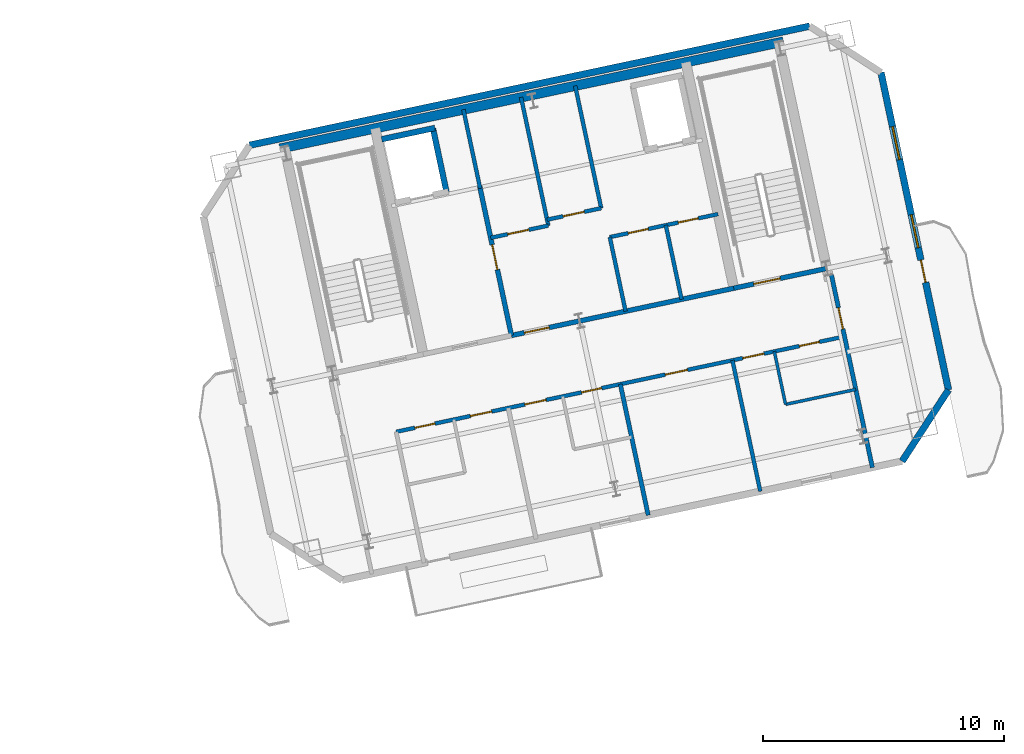
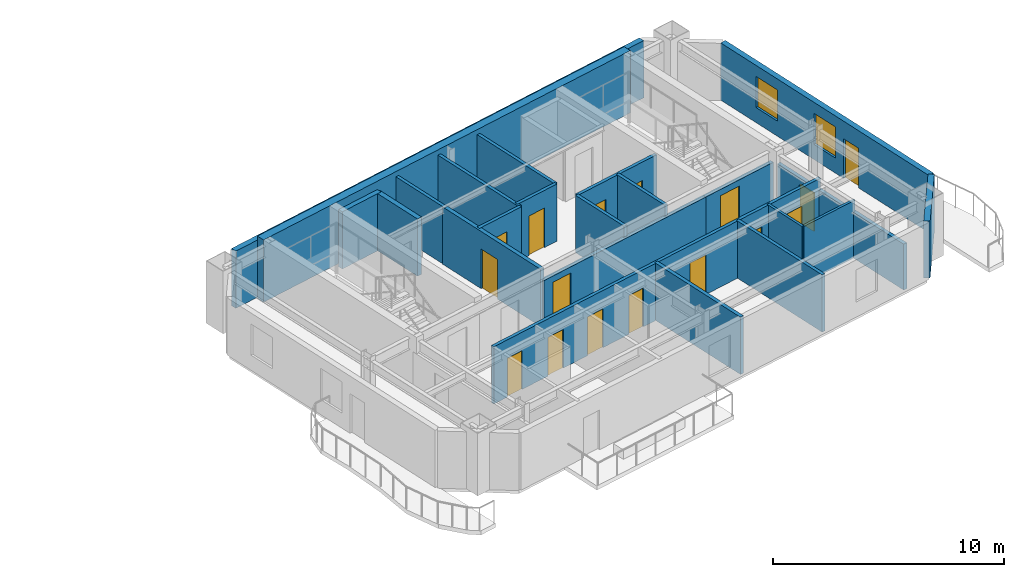
# One storey, part 8 of 14: 23 walls, 16 doors, 2 windows, 18 openings.
"""IFC4 building model written with IfcOpenShell, lengths in metres."""

from ifc_helpers import new_model, si_unit, direction, frame, frame_2d, origin, place, context, subcontext, project, spatial, rectangle, extrude, material, layer, layer_set, type_object, element, fill, save


model = new_model("IFC4")

# Units and contexts
model_context = context("Model", 3, precision=1e-05, world=origin(), true_north=direction((0.0, 1.0)))
body_context = subcontext(model_context, "Body", "Model", "MODEL_VIEW")
ifc_project = project(units=[si_unit("LENGTHUNIT", "METRE"), si_unit("AREAUNIT", "SQUARE_METRE"), si_unit("VOLUMEUNIT", "CUBIC_METRE"), si_unit("PLANEANGLEUNIT", "RADIAN"), si_unit("MASSUNIT", "GRAM", prefix="KILO")], contexts=[model_context])

# Site, building, storey
site_placement = place(None, origin())
site = spatial("IfcSite", under=ifc_project, at=site_placement, CompositionType="ELEMENT")
building_placement = place(site_placement, origin())
building = spatial("IfcBuilding", under=site, at=building_placement, Name="Haevon Station Towers", CompositionType="ELEMENT")
storey_placement = place(building_placement, frame((0.0, 0.0, 228.60009765625)))
storey = spatial("IfcBuildingStorey", under=building, at=storey_placement, Name="L63", CompositionType="ELEMENT", Elevation=228.60009765625)

# Wall, opening, door
ifc_material_1 = material(Name="Gypsum board on steel stud", Category="steel")
ifc_layer_1 = layer(ifc_material_1, 0.179931640625)
ifc_layer_set_1 = layer_set([ifc_layer_1], Name="Gypsum board on steel stud")
wall_type_1 = type_object("IfcWallType", Name="WL-ACU180", PredefinedType="PARTITIONING", material=ifc_layer_set_1)
wall_1_placement = place(storey_placement, frame((121.190673828125, 33.5322265625, 0.0), z_axis=(0.0, 0.0, 1.0), x_axis=(-0.207922572799, 0.978145287634, 0.0)))
wall_1 = element("IfcWall", 1, at=wall_1_placement, inside=storey, type_object=wall_type_1, Name="WL-T2PT-L63-03", PredefinedType="PARTITIONING", context=body_context, shape_type="SweptSolid", body=[
    extrude(rectangle(XDim=8.18994140625, YDim=0.179931640625, at=frame_2d((4.094970703125, 0.0))), origin(), (0.0, 0.0, 1.0), 2.429931640625),
])
opening_1_placement = place(wall_1_placement, frame((5.889892578125, 0.0, 0.0)))
opening_1 = element("IfcOpeningElement", 2, at=opening_1_placement, cuts=wall_1, Name="Opening DR-WL-T2PT-L63-03-01", PredefinedType="OPENING", context=body_context, shape_type="SweptSolid", body=[
    extrude(rectangle(XDim=0.89990234375, YDim=2.050048828125, at=frame_2d((0.449951171875, 1.02490234375))), frame((0.0, 0.099853515625, 0.0), z_axis=(0.0, -1.0, 0.0), x_axis=(1.0, 0.0, 0.0)), (0.0, 0.0, 1.0), 0.199951171875),
])
ifc_material_2 = material(Name="Engineered oak timber", Category="wood")
door_type_1 = type_object("IfcDoorType", Name="DR-INT-900", OperationType="NOTDEFINED", PredefinedType="DOOR", material=ifc_material_2)
door_1_placement = place(opening_1_placement, origin())
door_1 = element("IfcDoor", 3, at=door_1_placement, inside=storey, type_object=door_type_1, Name="L63 Tower 2 Room Door 3-1", OperationType="SINGLE_SWING_RIGHT", OverallHeight=2.050048828125, OverallWidth=0.89990234375, PredefinedType="DOOR", context=body_context, shape_type="SweptSolid", body=[
    extrude(rectangle(XDim=0.89990234375, YDim=2.050048828125, at=frame_2d((0.449951171875, 1.02490234375))), frame((0.0, 0.02490234375, 0.0), z_axis=(0.0, -1.0, 0.0), x_axis=(1.0, 0.0, 0.0)), (0.0, 0.0, 1.0), 0.050048828125),
])
fill(opening_1, door_1)

# Wall
wall_2_placement = place(storey_placement, frame((111.871337890625, 31.55126953125, 0.0), z_axis=(0.0, 0.0, 1.0), x_axis=(-0.207894403042, 0.978151275204, 0.0)))
element("IfcWall", 4, at=wall_2_placement, inside=storey, type_object=wall_type_1, Name="WL-T2PT-L63-09", PredefinedType="PARTITIONING", context=body_context, shape_type="SweptSolid", body=[
    extrude(rectangle(XDim=5.56982421875, YDim=0.179931640625, at=frame_2d((2.784912109375, 0.0))), origin(), (0.0, 0.0, 1.0), 3.02978515625),
])

# Wall, opening, door
ifc_layer_2 = layer(ifc_material_1, 0.199951171875)
ifc_layer_set_2 = layer_set([ifc_layer_2], Name="Gypsum board on steel stud")
wall_type_2 = type_object("IfcWallType", Name="WL-COR200", PredefinedType="PARTITIONING", material=ifc_layer_set_2)
wall_3_placement = place(storey_placement, frame((115.4296875, 40.9873046875, 0.0), z_axis=(0.0, 0.0, 1.0), x_axis=(0.978146596989, 0.207916413008, 0.0)))
wall_3 = element("IfcWall", 5, at=wall_3_placement, inside=storey, type_object=wall_type_2, Name="WL-ST-ST4-L63", PredefinedType="PARTITIONING", context=body_context, shape_type="SweptSolid", body=[
    extrude(rectangle(XDim=3.9501953125, YDim=0.199951171875, at=frame_2d((1.97509765625, 0.0))), origin(), (0.0, 0.0, 1.0), 2.429931640625),
])
opening_2_placement = place(wall_3_placement, frame((0.85009765625, 0.0, 0.0)))
opening_2 = element("IfcOpeningElement", 6, at=opening_2_placement, cuts=wall_3, Name="Opening DR-ST-ST4-L63", PredefinedType="OPENING", context=body_context, shape_type="SweptSolid", body=[
    extrude(rectangle(XDim=1.1201171875, YDim=2.10009765625, at=frame_2d((0.56005859375, 1.050048828125))), frame((0.0, 0.10986328125, 0.0), z_axis=(0.0, -1.0, 0.0), x_axis=(1.0, 0.0, 0.0)), (0.0, 0.0, 1.0), 0.219970703125),
])
door_type_2 = type_object("IfcDoorType", Name="DR-ST-1120", OperationType="NOTDEFINED", PredefinedType="DOOR", material=ifc_material_2)
door_2_placement = place(opening_2_placement, origin())
door_2 = element("IfcDoor", 7, at=door_2_placement, inside=storey, type_object=door_type_2, Name="L63 Escape Stair ST4 Fire Door", OperationType="SINGLE_SWING_RIGHT", OverallHeight=2.10009765625, OverallWidth=1.1201171875, PredefinedType="DOOR", context=body_context, shape_type="SweptSolid", body=[
    extrude(rectangle(XDim=1.1201171875, YDim=2.10009765625, at=frame_2d((0.56005859375, 1.050048828125))), frame((0.0, 0.02490234375, 0.0), z_axis=(0.0, -1.0, 0.0), x_axis=(1.0, 0.0, 0.0)), (0.0, 0.0, 1.0), 0.050048828125),
])
fill(opening_2, door_2)

wall_4_placement = place(storey_placement, frame((106.186279296875, 39.0224609375, 0.0), z_axis=(0.0, 0.0, 1.0), x_axis=(-0.207916691923, 0.978146537703, 0.0)))
wall_4 = element("IfcWall", 8, at=wall_4_placement, inside=storey, type_object=wall_type_2, Name="WL-T2FFL-L63-E", PredefinedType="PARTITIONING", context=body_context, shape_type="SweptSolid", body=[
    extrude(rectangle(XDim=6.35009765625, YDim=0.199951171875, at=frame_2d((3.175048828125, 0.0))), origin(), (0.0, 0.0, 1.0), 3.02978515625),
])
opening_3_placement = place(wall_4_placement, frame((2.800048828125, 0.0, 0.0)))
opening_3 = element("IfcOpeningElement", 9, at=opening_3_placement, cuts=wall_4, Name="Opening DR-T2FFL-L63-E", PredefinedType="OPENING", context=body_context, shape_type="SweptSolid", body=[
    extrude(rectangle(XDim=1.050048828125, YDim=2.10009765625, at=frame_2d((0.52490234375, 1.050048828125))), frame((0.0, 0.10986328125, 0.0), z_axis=(0.0, -1.0, 0.0), x_axis=(1.0, 0.0, 0.0)), (0.0, 0.0, 1.0), 0.219970703125),
])
door_type_3 = type_object("IfcDoorType", Name="DR-FD60-1050", OperationType="NOTDEFINED", PredefinedType="DOOR", material=ifc_material_2)
door_3_placement = place(opening_3_placement, origin())
door_3 = element("IfcDoor", 10, at=door_3_placement, inside=storey, type_object=door_type_3, Name="L63 Tower 2 Firefighting Lift Lobby Door E", OperationType="SINGLE_SWING_LEFT", OverallHeight=2.10009765625, OverallWidth=1.050048828125, PredefinedType="DOOR", context=body_context, shape_type="SweptSolid", body=[
    extrude(rectangle(XDim=1.050048828125, YDim=2.10009765625, at=frame_2d((0.52490234375, 1.050048828125))), frame((0.0, 0.02490234375, 0.0), z_axis=(0.0, -1.0, 0.0), x_axis=(1.0, 0.0, 0.0)), (0.0, 0.0, 1.0), 0.050048828125),
])
fill(opening_3, door_3)

wall_5_placement = place(storey_placement, frame((106.186279296875, 39.0224609375, 0.0), z_axis=(0.0, 0.0, 1.0), x_axis=(0.978145519981, 0.20792147975, 0.0)))
wall_5 = element("IfcWall", 11, at=wall_5_placement, inside=storey, type_object=wall_type_2, Name="WL-T2CLB-L63", PredefinedType="PARTITIONING", context=body_context, shape_type="SweptSolid", body=[
    extrude(rectangle(XDim=9.449951171875, YDim=0.199951171875, at=frame_2d((4.72509765625, 0.0))), origin(), (0.0, 0.0, 1.0), 2.429931640625),
])
opening_4_placement = place(wall_5_placement, frame((0.550048828125, 0.0, 0.0)))
opening_4 = element("IfcOpeningElement", 12, at=opening_4_placement, cuts=wall_5, Name="Opening DR-T2CLB-L63-1", PredefinedType="OPENING", context=body_context, shape_type="SweptSolid", body=[
    extrude(rectangle(XDim=1.050048828125, YDim=2.10009765625, at=frame_2d((0.52490234375, 1.050048828125))), frame((0.0, 0.10986328125, 0.0), z_axis=(0.0, -1.0, 0.0), x_axis=(1.0, 0.0, 0.0)), (0.0, 0.0, 1.0), 0.219970703125),
])
door_4_placement = place(opening_4_placement, origin())
door_4 = element("IfcDoor", 13, at=door_4_placement, inside=storey, type_object=door_type_3, Name="L63 Tower 2 Core Lift Lobby Door 1", OperationType="SINGLE_SWING_LEFT", OverallHeight=2.10009765625, OverallWidth=1.050048828125, PredefinedType="DOOR", context=body_context, shape_type="SweptSolid", body=[
    extrude(rectangle(XDim=1.050048828125, YDim=2.10009765625, at=frame_2d((0.52490234375, 1.050048828125))), frame((0.0, 0.02490234375, 0.0), z_axis=(0.0, -1.0, 0.0), x_axis=(1.0, 0.0, 0.0)), (0.0, 0.0, 1.0), 0.050048828125),
])
fill(opening_4, door_4)

# Walls
ifc_material_3 = material(Name="Concrete C60/75", Category="concrete")
ifc_layer_3 = layer(ifc_material_3, 0.39990234375)
ifc_layer_set_3 = layer_set([ifc_layer_3], Name="Concrete C60/75")
wall_type_3 = type_object("IfcWallType", Name="WL-CR400", PredefinedType="SHEAR", material=ifc_layer_set_3)
wall_6_placement = place(storey_placement, frame((96.560791015625, 46.791015625, 0.0), z_axis=(0.0, 0.0, 1.0), x_axis=(0.978148498705, 0.207907466152, 0.0)))
element("IfcWall", 14, at=wall_6_placement, inside=storey, type_object=wall_type_3, Name="WL-T2CR-L63-N", PredefinedType="SHEAR", context=body_context, shape_type="SweptSolid", body=[
    extrude(rectangle(XDim=21.39990234375, YDim=0.39990234375, at=frame_2d((10.699951171875, 0.0))), origin(), (0.0, 0.0, 1.0), 3.2998046875),
])
ifc_material_4 = material(Name="Precast concrete C45/55", Category="concrete")
ifc_layer_4 = layer(ifc_material_4, 0.280029296875)
ifc_layer_set_4 = layer_set([ifc_layer_4], Name="Precast concrete C45/55")
wall_type_4 = type_object("IfcWallType", Name="WL-EXT-PIER280", PredefinedType="SOLIDWALL", material=ifc_layer_set_4)
wall_7_placement = place(storey_placement, frame((95.3037109375, 46.932861328125, 0.0), z_axis=(0.0, 0.0, 1.0), x_axis=(0.978148291113, 0.207908442811, 0.0)))
element("IfcWall", 15, at=wall_7_placement, inside=storey, type_object=wall_type_4, Name="WL-T2-L63-N", PredefinedType="SOLIDWALL", context=body_context, shape_type="SweptSolid", body=[
    extrude(rectangle(XDim=23.800048828125, YDim=0.280029296875, at=frame_2d((11.89990234375, 0.0))), origin(), (0.0, 0.0, 1.0), 3.02978515625),
])

# Wall, openings, door, windows
wall_8_placement = place(storey_placement, frame((121.548828125, 49.95556640625, 0.0), z_axis=(0.0, 0.0, 1.0), x_axis=(0.207907239961, -0.978148546782, 0.0)))
wall_8 = element("IfcWall", 16, at=wall_8_placement, inside=storey, type_object=wall_type_4, Name="WL-T2-L63-E", PredefinedType="SOLIDWALL", context=body_context, shape_type="SweptSolid", body=[
    extrude(rectangle(XDim=13.489990234375, YDim=0.280029296875, at=frame_2d((6.7451171875, 0.0))), origin(), (0.0, 0.0, 1.0), 3.02978515625),
])
opening_5_placement = place(wall_8_placement, frame((7.969970703125, 0.0, 0.0)))
opening_5 = element("IfcOpeningElement", 17, at=opening_5_placement, cuts=wall_8, Name="Opening DR-T2-SCAL-L63-E", PredefinedType="OPENING", context=body_context, shape_type="SweptSolid", body=[
    extrude(rectangle(XDim=0.949951171875, YDim=2.10009765625, at=frame_2d((0.47509765625, 1.050048828125))), frame((0.0, 0.14990234375, 0.0), z_axis=(0.0, -1.0, 0.0), x_axis=(1.0, 0.0, 0.0)), (0.0, 0.0, 1.0), 0.300048828125),
])
opening_6_placement = place(wall_8_placement, frame((2.298583984375, 0.0, 0.800048828125)))
opening_6 = element("IfcOpeningElement", 18, at=opening_6_placement, cuts=wall_8, Name="Opening WN-END140", PredefinedType="OPENING", context=body_context, shape_type="SweptSolid", body=[
    extrude(rectangle(XDim=1.39990234375, YDim=1.64990234375, at=frame_2d((0.699951171875, 0.824951171875))), frame((0.0, 0.14990234375, 0.0), z_axis=(0.0, -1.0, 0.0), x_axis=(1.0, 0.0, 0.0)), (0.0, 0.0, 1.0), 0.300048828125),
])
opening_7_placement = place(wall_8_placement, frame((6.044921875, 0.0, 0.800048828125)))
opening_7 = element("IfcOpeningElement", 19, at=opening_7_placement, cuts=wall_8, Name="Opening WN-END140", PredefinedType="OPENING", context=body_context, shape_type="SweptSolid", body=[
    extrude(rectangle(XDim=1.39990234375, YDim=1.64990234375, at=frame_2d((0.699951171875, 0.824951171875))), frame((0.0, 0.14990234375, 0.0), z_axis=(0.0, -1.0, 0.0), x_axis=(1.0, 0.0, 0.0)), (0.0, 0.0, 1.0), 0.300048828125),
])
ifc_material_5 = material(Name="Thermally broken anodised aluminium and laminated safety glass", Category="aluminium")
door_type_4 = type_object("IfcDoorType", Name="DR-BALC-950", OperationType="NOTDEFINED", PredefinedType="DOOR", material=ifc_material_5)
door_5_placement = place(opening_5_placement, origin())
door_5 = element("IfcDoor", 20, at=door_5_placement, inside=storey, type_object=door_type_4, Name="Tower 2 L63 East Scalloped Balcony Door", OperationType="SINGLE_SWING_RIGHT", OverallHeight=2.10009765625, OverallWidth=0.949951171875, PredefinedType="DOOR", context=body_context, shape_type="SweptSolid", body=[
    extrude(rectangle(XDim=0.949951171875, YDim=2.10009765625, at=frame_2d((0.47509765625, 1.050048828125))), frame((0.0, 0.02490234375, 0.0), z_axis=(0.0, -1.0, 0.0), x_axis=(1.0, 0.0, 0.0)), (0.0, 0.0, 1.0), 0.050048828125),
])
fill(opening_5, door_5)
ifc_material_6 = material(Name="Low-E triple glazing in thermally broken aluminium", Category="aluminium")
window_type = type_object("IfcWindowType", Name="WN-END140", PartitioningType="SINGLE_PANEL", PredefinedType="WINDOW", material=ifc_material_6)
window_1_placement = place(opening_6_placement, origin())
window_1 = element("IfcWindow", 21, at=window_1_placement, inside=storey, type_object=window_type, Name="WN-T2-L63-E01", OverallHeight=1.64990234375, OverallWidth=1.39990234375, PartitioningType="SINGLE_PANEL", PredefinedType="WINDOW", context=body_context, shape_type="SweptSolid", body=[
    extrude(rectangle(XDim=1.39990234375, YDim=1.64990234375, at=frame_2d((0.699951171875, 0.824951171875))), frame((0.0, 0.030029296875, 0.0), z_axis=(0.0, -1.0, 0.0), x_axis=(1.0, 0.0, 0.0)), (0.0, 0.0, 1.0), 0.06005859375),
])
fill(opening_6, window_1)
window_2_placement = place(opening_7_placement, origin())
window_2 = element("IfcWindow", 22, at=window_2_placement, inside=storey, type_object=window_type, Name="WN-T2-L63-E02", OverallHeight=1.64990234375, OverallWidth=1.39990234375, PartitioningType="SINGLE_PANEL", PredefinedType="WINDOW", context=body_context, shape_type="SweptSolid", body=[
    extrude(rectangle(XDim=1.39990234375, YDim=1.64990234375, at=frame_2d((0.699951171875, 0.824951171875))), frame((0.0, 0.030029296875, 0.0), z_axis=(0.0, -1.0, 0.0), x_axis=(1.0, 0.0, 0.0)), (0.0, 0.0, 1.0), 0.06005859375),
])
fill(opening_7, window_2)

# Walls
wall_9_placement = place(storey_placement, frame((124.353515625, 36.76025390625, 0.0), z_axis=(0.0, 0.0, 1.0), x_axis=(-0.544636352948, -0.838672309694, 0.0)))
element("IfcWall", 23, at=wall_9_placement, inside=storey, type_object=wall_type_4, Name="WL-T2-L63-SEC", PredefinedType="SOLIDWALL", context=body_context, shape_type="SweptSolid", body=[
    extrude(rectangle(XDim=3.535400390625, YDim=0.280029296875, at=frame_2d((1.767578125, 0.0))), origin(), (0.0, 0.0, 1.0), 3.02978515625),
])
ifc_layer_5 = layer(ifc_material_1, 0.125)
ifc_layer_set_5 = layer_set([ifc_layer_5], Name="Gypsum board on steel stud")
wall_type_5 = type_object("IfcWallType", Name="WL-PRT125", PredefinedType="PARTITIONING", material=ifc_layer_set_5)
wall_10_placement = place(storey_placement, frame((117.581787109375, 36.1591796875, 0.0), z_axis=(0.0, 0.0, 1.0), x_axis=(0.978149492512, 0.207902790504, 0.0)))
element("IfcWall", 24, at=wall_10_placement, inside=storey, type_object=wall_type_5, Name="WL-T2PT-L63-11", PredefinedType="PARTITIONING", context=body_context, shape_type="SweptSolid", body=[
    extrude(rectangle(XDim=2.98388671875, YDim=0.125, at=frame_2d((1.491943359375, 0.0))), origin(), (0.0, 0.0, 1.0), 3.02978515625),
])
wall_11_placement = place(storey_placement, frame((117.581787109375, 36.1591796875, 0.0), z_axis=(0.0, 0.0, 1.0), x_axis=(-0.207891197838, 0.978151956427, 0.0)))
element("IfcWall", 25, at=wall_11_placement, inside=storey, type_object=wall_type_5, Name="WL-T2PT-L63-12", PredefinedType="PARTITIONING", context=body_context, shape_type="SweptSolid", body=[
    extrude(rectangle(XDim=2.25, YDim=0.125, at=frame_2d((1.125, 0.0))), origin(), (0.0, 0.0, 1.0), 3.02978515625),
])
ifc_layer_6 = layer(ifc_material_1, 0.159912109375)
ifc_layer_set_6 = layer_set([ifc_layer_6], Name="Gypsum board on steel stud")
wall_type_6 = type_object("IfcWallType", Name="WL-PRT160", PredefinedType="PARTITIONING", material=ifc_layer_set_6)
wall_12_placement = place(storey_placement, frame((104.88671875, 45.135986328125, 0.0), z_axis=(0.0, 0.0, 1.0), x_axis=(-0.207846553267, 0.978161443881, 0.0)))
element("IfcWall", 26, at=wall_12_placement, inside=storey, type_object=wall_type_6, Name="WL-T2CW-L63-01", PredefinedType="PARTITIONING", context=body_context, shape_type="SweptSolid", body=[
    extrude(rectangle(XDim=3.35009765625, YDim=0.159912109375, at=frame_2d((1.675048828125, 0.0))), origin(), (0.0, 0.0, 1.0), 3.02978515625),
])

# Wall, opening, door
wall_13_placement = place(storey_placement, frame((105.323486328125, 43.081787109375, 0.0), z_axis=(0.0, 0.0, 1.0), x_axis=(0.978136559131, 0.207963630695, 0.0)))
wall_13 = element("IfcWall", 27, at=wall_13_placement, inside=storey, type_object=wall_type_6, Name="WL-T2CW-L63-02", PredefinedType="PARTITIONING", context=body_context, shape_type="SweptSolid", body=[
    extrude(rectangle(XDim=2.449951171875, YDim=0.159912109375, at=frame_2d((1.22509765625, 0.0))), origin(), (0.0, 0.0, 1.0), 3.02978515625),
])
opening_8_placement = place(wall_13_placement, frame((0.719970703125, 0.0, 0.0)))
opening_8 = element("IfcOpeningElement", 28, at=opening_8_placement, cuts=wall_13, Name="Opening DR-WL-T2CW-L63-02-1", PredefinedType="OPENING", context=body_context, shape_type="SweptSolid", body=[
    extrude(rectangle(XDim=0.89990234375, YDim=2.10009765625, at=frame_2d((0.449951171875, 1.050048828125))), frame((0.0, 0.08984375, 0.0), z_axis=(0.0, -1.0, 0.0), x_axis=(1.0, 0.0, 0.0)), (0.0, 0.0, 1.0), 0.179931640625),
])
door_type_5 = type_object("IfcDoorType", Name="DR-FD60-900", OperationType="NOTDEFINED", PredefinedType="DOOR", material=ifc_material_2)
door_6_placement = place(opening_8_placement, origin())
door_6 = element("IfcDoor", 29, at=door_6_placement, inside=storey, type_object=door_type_5, Name="L63 Tower 2 Core Room Door 2-1", OperationType="SINGLE_SWING_LEFT", OverallHeight=2.10009765625, OverallWidth=0.89990234375, PredefinedType="DOOR", context=body_context, shape_type="SweptSolid", body=[
    extrude(rectangle(XDim=0.89990234375, YDim=2.10009765625, at=frame_2d((0.449951171875, 1.050048828125))), frame((0.0, 0.02490234375, 0.0), z_axis=(0.0, -1.0, 0.0), x_axis=(1.0, 0.0, 0.0)), (0.0, 0.0, 1.0), 0.050048828125),
])
fill(opening_8, door_6)

# Wall
wall_14_placement = place(storey_placement, frame((107.719970703125, 43.59130859375, 0.0), z_axis=(0.0, 0.0, 1.0), x_axis=(-0.207947156665, 0.978140061563, 0.0)))
element("IfcWall", 30, at=wall_14_placement, inside=storey, type_object=wall_type_6, Name="WL-T2CW-L63-03", PredefinedType="PARTITIONING", context=body_context, shape_type="SweptSolid", body=[
    extrude(rectangle(XDim=5.449951171875, YDim=0.159912109375, at=frame_2d((2.72509765625, 0.0))), origin(), (0.0, 0.0, 1.0), 3.02978515625),
])

# Wall, opening, door
wall_15_placement = place(storey_placement, frame((107.66796875, 43.835693359375, 0.0), z_axis=(0.0, 0.0, 1.0), x_axis=(0.978141312374, 0.207941273027, 0.0)))
wall_15 = element("IfcWall", 31, at=wall_15_placement, inside=storey, type_object=wall_type_6, Name="WL-T2CW-L63-04", PredefinedType="PARTITIONING", context=body_context, shape_type="SweptSolid", body=[
    extrude(rectangle(XDim=2.300048828125, YDim=0.159912109375, at=frame_2d((1.14990234375, 0.0))), origin(), (0.0, 0.0, 1.0), 3.02978515625),
])
opening_9_placement = place(wall_15_placement, frame((0.679931640625, 0.0, 0.0)))
opening_9 = element("IfcOpeningElement", 32, at=opening_9_placement, cuts=wall_15, Name="Opening DR-WL-T2CW-L63-04-1", PredefinedType="OPENING", context=body_context, shape_type="SweptSolid", body=[
    extrude(rectangle(XDim=0.89990234375, YDim=2.10009765625, at=frame_2d((0.449951171875, 1.050048828125))), frame((0.0, 0.08984375, 0.0), z_axis=(0.0, -1.0, 0.0), x_axis=(1.0, 0.0, 0.0)), (0.0, 0.0, 1.0), 0.179931640625),
])
door_7_placement = place(opening_9_placement, origin())
door_7 = element("IfcDoor", 33, at=door_7_placement, inside=storey, type_object=door_type_5, Name="L63 Tower 2 Core Room Door 4-1", OperationType="SINGLE_SWING_RIGHT", OverallHeight=2.10009765625, OverallWidth=0.89990234375, PredefinedType="DOOR", context=body_context, shape_type="SweptSolid", body=[
    extrude(rectangle(XDim=0.89990234375, YDim=2.10009765625, at=frame_2d((0.449951171875, 1.050048828125))), frame((0.0, 0.02490234375, 0.0), z_axis=(0.0, -1.0, 0.0), x_axis=(1.0, 0.0, 0.0)), (0.0, 0.0, 1.0), 0.050048828125),
])
fill(opening_9, door_7)

# Walls
wall_16_placement = place(storey_placement, frame((109.917724609375, 44.31396484375, 0.0), z_axis=(0.0, 0.0, 1.0), x_axis=(-0.207938489641, 0.978141904084, 0.0)))
element("IfcWall", 34, at=wall_16_placement, inside=storey, type_object=wall_type_6, Name="WL-T2CW-L63-05", PredefinedType="PARTITIONING", context=body_context, shape_type="SweptSolid", body=[
    extrude(rectangle(XDim=5.2001953125, YDim=0.159912109375, at=frame_2d((2.60009765625, 0.0))), origin(), (0.0, 0.0, 1.0), 3.02978515625),
])
wall_17_placement = place(storey_placement, frame((110.93017578125, 40.031005859375, 0.0), z_axis=(0.0, 0.0, 1.0), x_axis=(-0.207877295669, 0.978154911016, 0.0)))
element("IfcWall", 35, at=wall_17_placement, inside=storey, type_object=wall_type_6, Name="WL-T2CW-L63-06", PredefinedType="PARTITIONING", context=body_context, shape_type="SweptSolid", body=[
    extrude(rectangle(XDim=3.14990234375, YDim=0.159912109375, at=frame_2d((1.574951171875, 0.0))), origin(), (0.0, 0.0, 1.0), 3.02978515625),
])
wall_18_placement = place(storey_placement, frame((113.25830078125, 40.525634765625, 0.0), z_axis=(0.0, 0.0, 1.0), x_axis=(-0.207935688634, 0.978142499533, 0.0)))
element("IfcWall", 36, at=wall_18_placement, inside=storey, type_object=wall_type_6, Name="WL-T2CW-L63-07", PredefinedType="PARTITIONING", context=body_context, shape_type="SweptSolid", body=[
    extrude(rectangle(XDim=3.150146484375, YDim=0.159912109375, at=frame_2d((1.5751953125, 0.0))), origin(), (0.0, 0.0, 1.0), 3.02978515625),
])

# Wall, openings, doors
wall_19_placement = place(storey_placement, frame((110.275390625, 43.112060546875, 0.0), z_axis=(0.0, 0.0, 1.0), x_axis=(0.978152106073, 0.207890493732, 0.0)))
wall_19 = element("IfcWall", 37, at=wall_19_placement, inside=storey, type_object=wall_type_6, Name="WL-T2CW-L63-08", PredefinedType="PARTITIONING", context=body_context, shape_type="SweptSolid", body=[
    extrude(rectangle(XDim=4.60009765625, YDim=0.159912109375, at=frame_2d((2.300048828125, 0.0))), origin(), (0.0, 0.0, 1.0), 3.02978515625),
])
opening_10_placement = place(wall_19_placement, frame((0.784912109375, 0.0, 0.0)))
opening_10 = element("IfcOpeningElement", 38, at=opening_10_placement, cuts=wall_19, Name="Opening DR-WL-T2CW-L63-08-1", PredefinedType="OPENING", context=body_context, shape_type="SweptSolid", body=[
    extrude(rectangle(XDim=0.85009765625, YDim=2.050048828125, at=frame_2d((0.425048828125, 1.02490234375))), frame((0.0, 0.08984375, 0.0), z_axis=(0.0, -1.0, 0.0), x_axis=(1.0, 0.0, 0.0)), (0.0, 0.0, 1.0), 0.179931640625),
])
opening_11_placement = place(wall_19_placement, frame((2.905029296875, 0.0, 0.0)))
opening_11 = element("IfcOpeningElement", 39, at=opening_11_placement, cuts=wall_19, Name="Opening DR-WL-T2CW-L63-08-2", PredefinedType="OPENING", context=body_context, shape_type="SweptSolid", body=[
    extrude(rectangle(XDim=0.85009765625, YDim=2.050048828125, at=frame_2d((0.425048828125, 1.02490234375))), frame((0.0, 0.08984375, 0.0), z_axis=(0.0, -1.0, 0.0), x_axis=(1.0, 0.0, 0.0)), (0.0, 0.0, 1.0), 0.179931640625),
])
door_type_6 = type_object("IfcDoorType", Name="DR-FD30-850", OperationType="NOTDEFINED", PredefinedType="DOOR", material=ifc_material_2)
door_8_placement = place(opening_10_placement, origin())
door_8 = element("IfcDoor", 40, at=door_8_placement, inside=storey, type_object=door_type_6, Name="L63 Tower 2 Core Room Door 8-1", OperationType="SINGLE_SWING_LEFT", OverallHeight=2.050048828125, OverallWidth=0.85009765625, PredefinedType="DOOR", context=body_context, shape_type="SweptSolid", body=[
    extrude(rectangle(XDim=0.85009765625, YDim=2.050048828125, at=frame_2d((0.425048828125, 1.02490234375))), frame((0.0, 0.02490234375, 0.0), z_axis=(0.0, -1.0, 0.0), x_axis=(1.0, 0.0, 0.0)), (0.0, 0.0, 1.0), 0.050048828125),
])
fill(opening_10, door_8)
door_9_placement = place(opening_11_placement, origin())
door_9 = element("IfcDoor", 41, at=door_9_placement, inside=storey, type_object=door_type_6, Name="L63 Tower 2 Core Room Door 8-2", OperationType="SINGLE_SWING_RIGHT", OverallHeight=2.050048828125, OverallWidth=0.85009765625, PredefinedType="DOOR", context=body_context, shape_type="SweptSolid", body=[
    extrude(rectangle(XDim=0.85009765625, YDim=2.050048828125, at=frame_2d((0.425048828125, 1.02490234375))), frame((0.0, 0.02490234375, 0.0), z_axis=(0.0, -1.0, 0.0), x_axis=(1.0, 0.0, 0.0)), (0.0, 0.0, 1.0), 0.050048828125),
])
fill(opening_11, door_9)

# Wall
wall_20_placement = place(storey_placement, frame((116.531005859375, 32.541748046875, 0.0), z_axis=(0.0, 0.0, 1.0), x_axis=(-0.207936339891, 0.978142361087, 0.0)))
element("IfcWall", 42, at=wall_20_placement, inside=storey, type_object=wall_type_6, Name="WL-T2PT-L63-10", PredefinedType="PARTITIONING", context=body_context, shape_type="SweptSolid", body=[
    extrude(rectangle(XDim=5.570068359375, YDim=0.159912109375, at=frame_2d((2.78515625, 0.0))), origin(), (0.0, 0.0, 1.0), 3.02978515625),
])

# Wall, openings, doors
wall_21_placement = place(storey_placement, frame((101.39404296875, 35.0185546875, 0.0), z_axis=(0.0, 0.0, 1.0), x_axis=(0.978146084609, 0.207918823497, 0.0)))
wall_21 = element("IfcWall", 43, at=wall_21_placement, inside=storey, type_object=wall_type_6, Name="WL-T2PT-L63-13", PredefinedType="PARTITIONING", context=body_context, shape_type="SweptSolid", body=[
    extrude(rectangle(XDim=19.05517578125, YDim=0.159912109375, at=frame_2d((9.527587890625, 0.0))), origin(), (0.0, 0.0, 1.0), 3.02978515625),
])
opening_12_placement = place(wall_21_placement, frame((0.800048828125, 0.0, 0.0)))
opening_12 = element("IfcOpeningElement", 44, at=opening_12_placement, cuts=wall_21, Name="Opening DR-WL-T2PT-L63-13-01", PredefinedType="OPENING", context=body_context, shape_type="SweptSolid", body=[
    extrude(rectangle(XDim=0.85009765625, YDim=2.050048828125, at=frame_2d((0.425048828125, 1.02490234375))), frame((0.0, 0.08984375, 0.0), z_axis=(0.0, -1.0, 0.0), x_axis=(1.0, 0.0, 0.0)), (0.0, 0.0, 1.0), 0.179931640625),
])
opening_13_placement = place(wall_21_placement, frame((3.156982421875, 0.0, 0.0)))
opening_13 = element("IfcOpeningElement", 45, at=opening_13_placement, cuts=wall_21, Name="Opening DR-WL-T2PT-L63-13-02", PredefinedType="OPENING", context=body_context, shape_type="SweptSolid", body=[
    extrude(rectangle(XDim=0.89990234375, YDim=2.050048828125, at=frame_2d((0.449951171875, 1.02490234375))), frame((0.0, 0.08984375, 0.0), z_axis=(0.0, -1.0, 0.0), x_axis=(1.0, 0.0, 0.0)), (0.0, 0.0, 1.0), 0.179931640625),
])
opening_14_placement = place(wall_21_placement, frame((7.8779296875, 0.0, 0.0)))
opening_14 = element("IfcOpeningElement", 46, at=opening_14_placement, cuts=wall_21, Name="Opening DR-WL-T2PT-L63-13-03", PredefinedType="OPENING", context=body_context, shape_type="SweptSolid", body=[
    extrude(rectangle(XDim=0.85009765625, YDim=2.050048828125, at=frame_2d((0.425048828125, 1.02490234375))), frame((0.0, 0.08984375, 0.0), z_axis=(0.0, -1.0, 0.0), x_axis=(1.0, 0.0, 0.0)), (0.0, 0.0, 1.0), 0.179931640625),
])
opening_15_placement = place(wall_21_placement, frame((5.470947265625, 0.0, 0.0)))
opening_15 = element("IfcOpeningElement", 47, at=opening_15_placement, cuts=wall_21, Name="Opening DR-WL-T2PT-L63-13-04", PredefinedType="OPENING", context=body_context, shape_type="SweptSolid", body=[
    extrude(rectangle(XDim=0.89990234375, YDim=2.050048828125, at=frame_2d((0.449951171875, 1.02490234375))), frame((0.0, 0.08984375, 0.0), z_axis=(0.0, -1.0, 0.0), x_axis=(1.0, 0.0, 0.0)), (0.0, 0.0, 1.0), 0.179931640625),
])
opening_16_placement = place(wall_21_placement, frame((11.43408203125, 0.0, 0.0)))
opening_16 = element("IfcOpeningElement", 48, at=opening_16_placement, cuts=wall_21, Name="Opening DR-WL-T2PT-L63-13-05", PredefinedType="OPENING", context=body_context, shape_type="SweptSolid", body=[
    extrude(rectangle(XDim=0.949951171875, YDim=2.10009765625, at=frame_2d((0.47509765625, 1.050048828125))), frame((0.0, 0.08984375, 0.0), z_axis=(0.0, -1.0, 0.0), x_axis=(1.0, 0.0, 0.0)), (0.0, 0.0, 1.0), 0.179931640625),
])
opening_17_placement = place(wall_21_placement, frame((17.137939453125, 0.0, 0.0)))
opening_17 = element("IfcOpeningElement", 49, at=opening_17_placement, cuts=wall_21, Name="Opening DR-WL-T2PT-L63-13-06", PredefinedType="OPENING", context=body_context, shape_type="SweptSolid", body=[
    extrude(rectangle(XDim=0.85009765625, YDim=2.050048828125, at=frame_2d((0.425048828125, 1.02490234375))), frame((0.0, 0.08984375, 0.0), z_axis=(0.0, -1.0, 0.0), x_axis=(1.0, 0.0, 0.0)), (0.0, 0.0, 1.0), 0.179931640625),
])
opening_18_placement = place(wall_21_placement, frame((14.73095703125, 0.0, 0.0)))
opening_18 = element("IfcOpeningElement", 50, at=opening_18_placement, cuts=wall_21, Name="Opening DR-WL-T2PT-L63-13-07", PredefinedType="OPENING", context=body_context, shape_type="SweptSolid", body=[
    extrude(rectangle(XDim=0.89990234375, YDim=2.050048828125, at=frame_2d((0.449951171875, 1.02490234375))), frame((0.0, 0.08984375, 0.0), z_axis=(0.0, -1.0, 0.0), x_axis=(1.0, 0.0, 0.0)), (0.0, 0.0, 1.0), 0.179931640625),
])
door_10_placement = place(opening_12_placement, origin())
door_10 = element("IfcDoor", 51, at=door_10_placement, inside=storey, type_object=door_type_6, Name="L63 Tower 2 Room Door 13-1", OperationType="SINGLE_SWING_LEFT", OverallHeight=2.050048828125, OverallWidth=0.85009765625, PredefinedType="DOOR", context=body_context, shape_type="SweptSolid", body=[
    extrude(rectangle(XDim=0.85009765625, YDim=2.050048828125, at=frame_2d((0.425048828125, 1.02490234375))), frame((0.0, 0.02490234375, 0.0), z_axis=(0.0, -1.0, 0.0), x_axis=(1.0, 0.0, 0.0)), (0.0, 0.0, 1.0), 0.050048828125),
])
fill(opening_12, door_10)
door_11_placement = place(opening_14_placement, origin())
door_11 = element("IfcDoor", 52, at=door_11_placement, inside=storey, type_object=door_type_6, Name="L63 Tower 2 Room Door 13-3", OperationType="SINGLE_SWING_LEFT", OverallHeight=2.050048828125, OverallWidth=0.85009765625, PredefinedType="DOOR", context=body_context, shape_type="SweptSolid", body=[
    extrude(rectangle(XDim=0.85009765625, YDim=2.050048828125, at=frame_2d((0.425048828125, 1.02490234375))), frame((0.0, 0.02490234375, 0.0), z_axis=(0.0, -1.0, 0.0), x_axis=(1.0, 0.0, 0.0)), (0.0, 0.0, 1.0), 0.050048828125),
])
fill(opening_14, door_11)
door_12_placement = place(opening_17_placement, origin())
door_12 = element("IfcDoor", 53, at=door_12_placement, inside=storey, type_object=door_type_6, Name="L63 Tower 2 Room Door 13-6", OperationType="SINGLE_SWING_RIGHT", OverallHeight=2.050048828125, OverallWidth=0.85009765625, PredefinedType="DOOR", context=body_context, shape_type="SweptSolid", body=[
    extrude(rectangle(XDim=0.85009765625, YDim=2.050048828125, at=frame_2d((0.425048828125, 1.02490234375))), frame((0.0, 0.02490234375, 0.0), z_axis=(0.0, -1.0, 0.0), x_axis=(1.0, 0.0, 0.0)), (0.0, 0.0, 1.0), 0.050048828125),
])
fill(opening_17, door_12)
door_type_7 = type_object("IfcDoorType", Name="DR-FD30-950", OperationType="NOTDEFINED", PredefinedType="DOOR", material=ifc_material_2)
door_13_placement = place(opening_16_placement, origin())
door_13 = element("IfcDoor", 54, at=door_13_placement, inside=storey, type_object=door_type_7, Name="L63 Tower 2 Room Door 13-5", OperationType="SINGLE_SWING_LEFT", OverallHeight=2.10009765625, OverallWidth=0.949951171875, PredefinedType="DOOR", context=body_context, shape_type="SweptSolid", body=[
    extrude(rectangle(XDim=0.949951171875, YDim=2.10009765625, at=frame_2d((0.47509765625, 1.050048828125))), frame((0.0, 0.02490234375, 0.0), z_axis=(0.0, -1.0, 0.0), x_axis=(1.0, 0.0, 0.0)), (0.0, 0.0, 1.0), 0.050048828125),
])
fill(opening_16, door_13)
door_14_placement = place(opening_13_placement, origin())
door_14 = element("IfcDoor", 55, at=door_14_placement, inside=storey, type_object=door_type_1, Name="L63 Tower 2 Room Door 13-2", OperationType="SINGLE_SWING_RIGHT", OverallHeight=2.050048828125, OverallWidth=0.89990234375, PredefinedType="DOOR", context=body_context, shape_type="SweptSolid", body=[
    extrude(rectangle(XDim=0.89990234375, YDim=2.050048828125, at=frame_2d((0.449951171875, 1.02490234375))), frame((0.0, 0.02490234375, 0.0), z_axis=(0.0, -1.0, 0.0), x_axis=(1.0, 0.0, 0.0)), (0.0, 0.0, 1.0), 0.050048828125),
])
fill(opening_13, door_14)
door_15_placement = place(opening_15_placement, origin())
door_15 = element("IfcDoor", 56, at=door_15_placement, inside=storey, type_object=door_type_1, Name="L63 Tower 2 Room Door 13-4", OperationType="SINGLE_SWING_RIGHT", OverallHeight=2.050048828125, OverallWidth=0.89990234375, PredefinedType="DOOR", context=body_context, shape_type="SweptSolid", body=[
    extrude(rectangle(XDim=0.89990234375, YDim=2.050048828125, at=frame_2d((0.449951171875, 1.02490234375))), frame((0.0, 0.02490234375, 0.0), z_axis=(0.0, -1.0, 0.0), x_axis=(1.0, 0.0, 0.0)), (0.0, 0.0, 1.0), 0.050048828125),
])
fill(opening_15, door_15)
door_16_placement = place(opening_18_placement, origin())
door_16 = element("IfcDoor", 57, at=door_16_placement, inside=storey, type_object=door_type_1, Name="L63 Tower 2 Room Door 13-7", OperationType="SINGLE_SWING_LEFT", OverallHeight=2.050048828125, OverallWidth=0.89990234375, PredefinedType="DOOR", context=body_context, shape_type="SweptSolid", body=[
    extrude(rectangle(XDim=0.89990234375, YDim=2.050048828125, at=frame_2d((0.449951171875, 1.02490234375))), frame((0.0, 0.02490234375, 0.0), z_axis=(0.0, -1.0, 0.0), x_axis=(1.0, 0.0, 0.0)), (0.0, 0.0, 1.0), 0.050048828125),
])
fill(opening_18, door_16)

# Walls
ifc_material_7 = material(Name="Concrete C40/50", Category="concrete")
ifc_layer_7 = layer(ifc_material_7, 0.239990234375)
ifc_layer_set_7 = layer_set([ifc_layer_7], Name="Concrete C40/50")
wall_type_7 = type_object("IfcWallType", Name="WL-SHF240", PredefinedType="PARTITIONING", material=ifc_layer_set_7)
wall_22_placement = place(storey_placement, frame((100.79248046875, 47.179443359375, 0.0), z_axis=(0.0, 0.0, 1.0), x_axis=(0.978162968872, 0.207839376268, 0.0)))
element("IfcWall", 58, at=wall_22_placement, inside=storey, type_object=wall_type_7, Name="WL-SHF-FL2-L63-N", PredefinedType="PARTITIONING", context=body_context, shape_type="SweptSolid", body=[
    extrude(rectangle(XDim=2.260009765625, YDim=0.239990234375, at=frame_2d((1.1298828125, 0.0))), origin(), (0.0, 0.0, 1.0), 3.02978515625),
])
wall_23_placement = place(storey_placement, frame((103.486328125, 44.99169921875, 0.0), z_axis=(0.0, 0.0, 1.0), x_axis=(-0.207978798957, 0.978133334052, 0.0)))
element("IfcWall", 59, at=wall_23_placement, inside=storey, type_object=wall_type_7, Name="WL-SHF-FL2-L63-E", PredefinedType="PARTITIONING", context=body_context, shape_type="SweptSolid", body=[
    extrude(rectangle(XDim=2.699951171875, YDim=0.239990234375, at=frame_2d((1.35009765625, 0.0))), origin(), (0.0, 0.0, 1.0), 3.02978515625),
])

save(model, "model.ifc")
